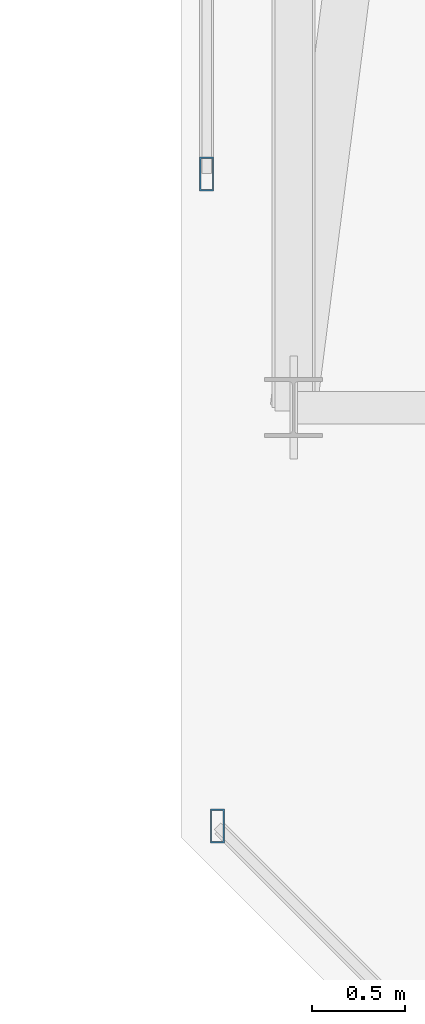
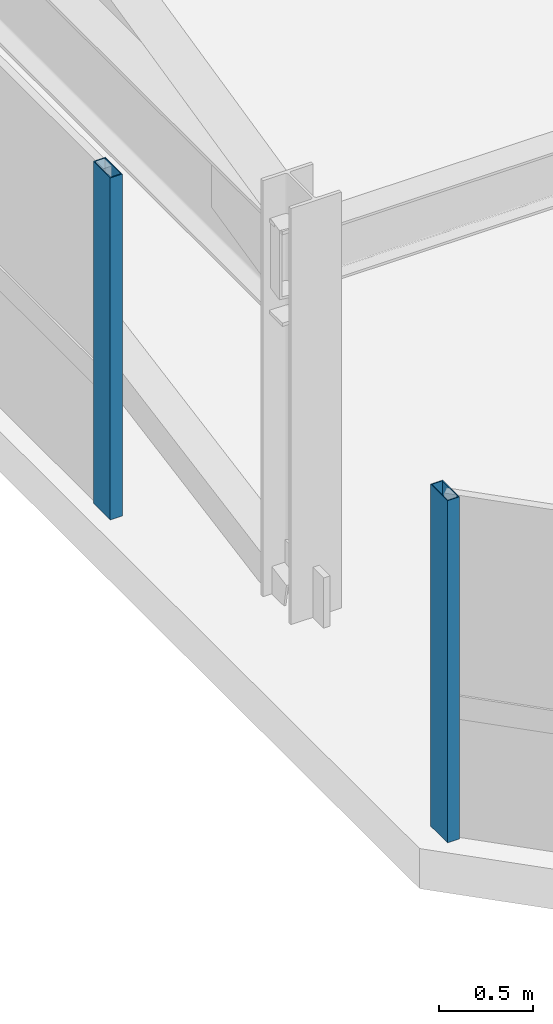
# One storey, part 19 of 44: 2 members, 2 elements without a shape of their own.
"""IFC4 building model written with IfcOpenShell, lengths in metres."""

from ifc_helpers import new_model, si_unit, direction, frame, origin, origin_2d, place, context, subcontext, project, spatial, hollow_rectangle, extrude, material, material_profile, profile_set, type_object, element, aggregate, save


model = new_model("IFC4")

# Units and contexts
model_context = context("Model", 3, precision=1e-05, world=origin(), true_north=direction((0.0, 1.0)))
body_context = subcontext(model_context, "Body", "Model", "MODEL_VIEW")
ifc_project = project(units=[si_unit("LENGTHUNIT", "METRE"), si_unit("AREAUNIT", "SQUARE_METRE"), si_unit("VOLUMEUNIT", "CUBIC_METRE"), si_unit("PLANEANGLEUNIT", "RADIAN"), si_unit("MASSUNIT", "GRAM", prefix="KILO")], contexts=[model_context])

# Site, building, storey
site_placement = place(None, origin())
site = spatial("IfcSite", under=ifc_project, at=site_placement, CompositionType="ELEMENT")
building_placement = place(site_placement, origin())
building = spatial("IfcBuilding", under=site, at=building_placement, Name="Thornwick Lancets Civic Towers", CompositionType="ELEMENT")
storey_placement = place(building_placement, frame((0.0, 0.0, 292.199951171875)))
storey = spatial("IfcBuildingStorey", under=building, at=storey_placement, Name="C05", CompositionType="ELEMENT", Elevation=292.199951171875)

# Curtain wall, member
ifc_material_1 = material(Name="Crown ring acoustic-louvre and glazing screen wall", Category="glass")
curtain_wall_type = type_object("IfcCurtainWallType", Name="CW_SYS_07", PredefinedType="NOTDEFINED", material=ifc_material_1)
curtain_wall_1_placement = place(storey_placement, origin())
curtain_wall_1 = element("IfcCurtainWall", 1, at=curtain_wall_1_placement, inside=storey, type_object=curtain_wall_type, Name="C05 Curtain Wall CW-C05-B-E6-S3", PredefinedType="NOTDEFINED")
ifc_material_2 = material(Name="Thermally broken bronze aluminium S355", Category="steel")
ifc_material_profile = material_profile(ifc_material_2, hollow_rectangle(XDim=0.074951171875, YDim=0.179931640625, WallThickness=0.006103515625, at=origin_2d()), Name="RHS 180x75x6")
ifc_profile_set = profile_set([ifc_material_profile], Name="Thermally broken bronze aluminium S355")
member_type = type_object("IfcMemberType", Name="CW_MUL_180", PredefinedType="MULLION", material=ifc_profile_set)
member_1_placement = place(storey_placement, frame((70.7353515625, 15.25, 0.0), z_axis=(0.0, 0.0, 1.0), x_axis=(1.0, 0.0, 0.0)))
member_1 = element("IfcMember", 2, at=member_1_placement, type_object=member_type, Name="CW-C05-B-E6-S3 Mullion 1", PredefinedType="MULLION", context=body_context, shape_type="SweptSolid", body=[
    extrude(hollow_rectangle(XDim=0.074951171875, YDim=0.179931640625, WallThickness=0.006103515625, at=origin_2d()), origin(), (0.0, 0.0, 1.0), 2.219970703125),
])
aggregate(curtain_wall_1, [member_1])

curtain_wall_2_placement = place(storey_placement, origin())
curtain_wall_2 = element("IfcCurtainWall", 3, at=curtain_wall_2_placement, inside=storey, type_object=curtain_wall_type, Name="C05 Curtain Wall CW-C05-B-E7", PredefinedType="NOTDEFINED")
member_2_placement = place(storey_placement, frame((70.7919921875, 11.761962890625, 0.0), z_axis=(0.0, 0.0, 1.0), x_axis=(1.0, 0.0, 0.0)))
member_2 = element("IfcMember", 4, at=member_2_placement, type_object=member_type, Name="CW-C05-B-E7 Mullion 0", PredefinedType="MULLION", context=body_context, shape_type="SweptSolid", body=[
    extrude(hollow_rectangle(XDim=0.074951171875, YDim=0.179931640625, WallThickness=0.006103515625, at=origin_2d()), origin(), (0.0, 0.0, 1.0), 2.219970703125),
])
aggregate(curtain_wall_2, [member_2])

save(model, "model.ifc")
